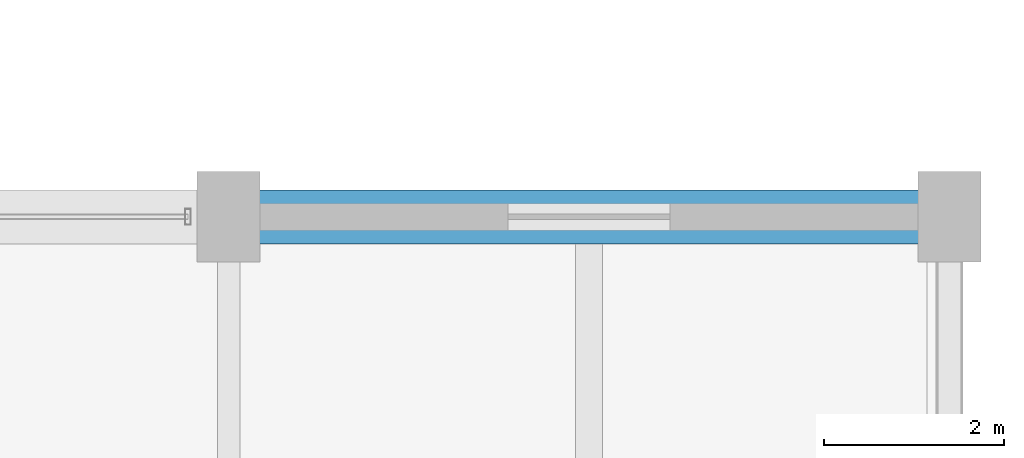
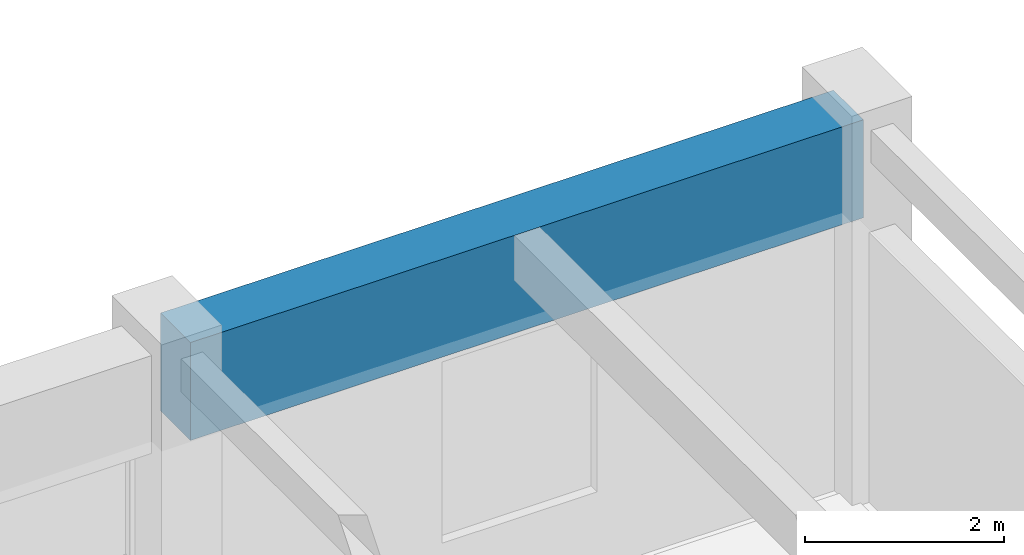
# One storey, part 85 of 144: 1 beam.
"""IFC4 building model written with IfcOpenShell, lengths in metres."""

from ifc_helpers import new_model, si_unit, direction, frame, origin, origin_2d, place, context, subcontext, project, spatial, rectangle, extrude, material, material_profile, profile_set, type_object, element, save


model = new_model("IFC4")

# Units and contexts
model_context = context("Model", 3, precision=1e-05, world=origin(), true_north=direction((0.0, 1.0)))
body_context = subcontext(model_context, "Body", "Model", "MODEL_VIEW")
ifc_project = project(units=[si_unit("LENGTHUNIT", "METRE"), si_unit("AREAUNIT", "SQUARE_METRE"), si_unit("VOLUMEUNIT", "CUBIC_METRE"), si_unit("PLANEANGLEUNIT", "RADIAN"), si_unit("MASSUNIT", "GRAM", prefix="KILO")], contexts=[model_context])

# Site, building, storey
site_placement = place(None, origin())
site = spatial("IfcSite", under=ifc_project, at=site_placement, CompositionType="ELEMENT")
building_placement = place(site_placement, origin())
building = spatial("IfcBuilding", under=site, at=building_placement, Name="Varnabhumi Central Station", CompositionType="ELEMENT")
storey_placement = place(building_placement, frame((0.0, 0.0, 4.800048828125)))
storey = spatial("IfcBuildingStorey", under=building, at=storey_placement, Name="L01", CompositionType="ELEMENT", Elevation=4.800048828125)

# Beam
ifc_material = material(Name="Concrete M50", Category="concrete")
ifc_material_profile = material_profile(ifc_material, rectangle(XDim=0.60009765625, YDim=1.199951171875, at=origin_2d()), Name="Concrete M50", Category="concrete")
ifc_profile_set = profile_set([ifc_material_profile], Name="Concrete M50")
beam_type = type_object("IfcBeamType", Name="BM-RC-1200x600", PredefinedType="BEAM", material=ifc_profile_set)
beam_placement = place(storey_placement, frame((176.10009765625, 36.0, 3.949951171875), z_axis=(1.0, 0.0, 0.0), x_axis=(0.0, 1.0, 0.0)))
element("IfcBeam", 1, at=beam_placement, inside=storey, type_object=beam_type, Name="Beam L01-E:23-24", PredefinedType="BEAM", context=body_context, shape_type="SweptSolid", body=[
    extrude(rectangle(XDim=0.60009765625, YDim=1.199951171875, at=origin_2d()), origin(), (0.0, 0.0, 1.0), 7.7998046875),
])

save(model, "model.ifc")
